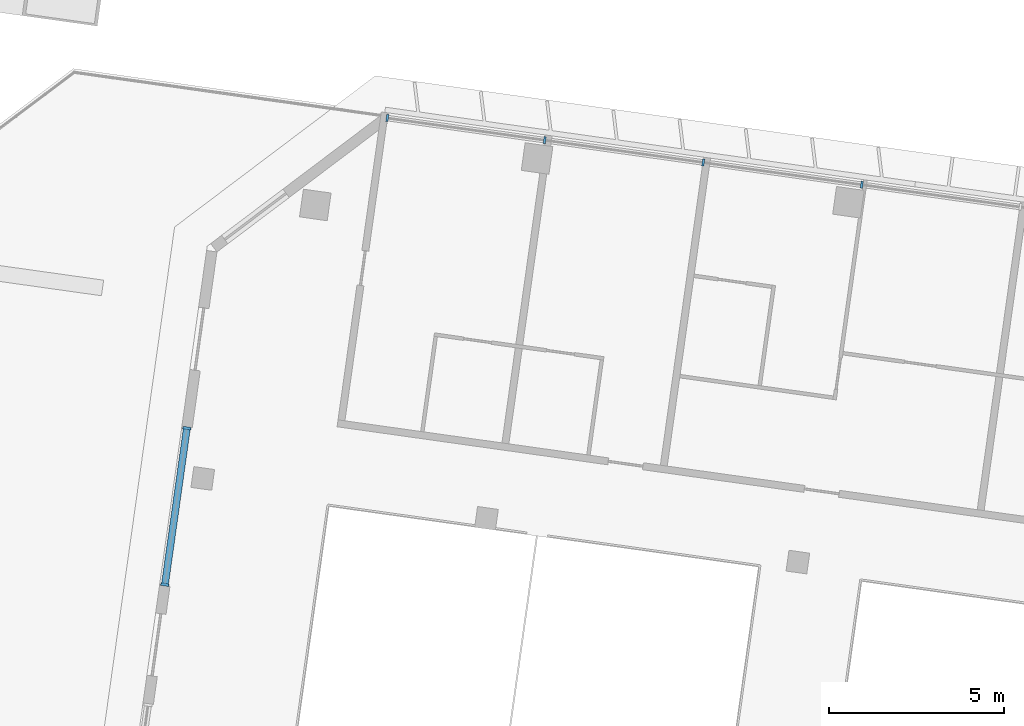
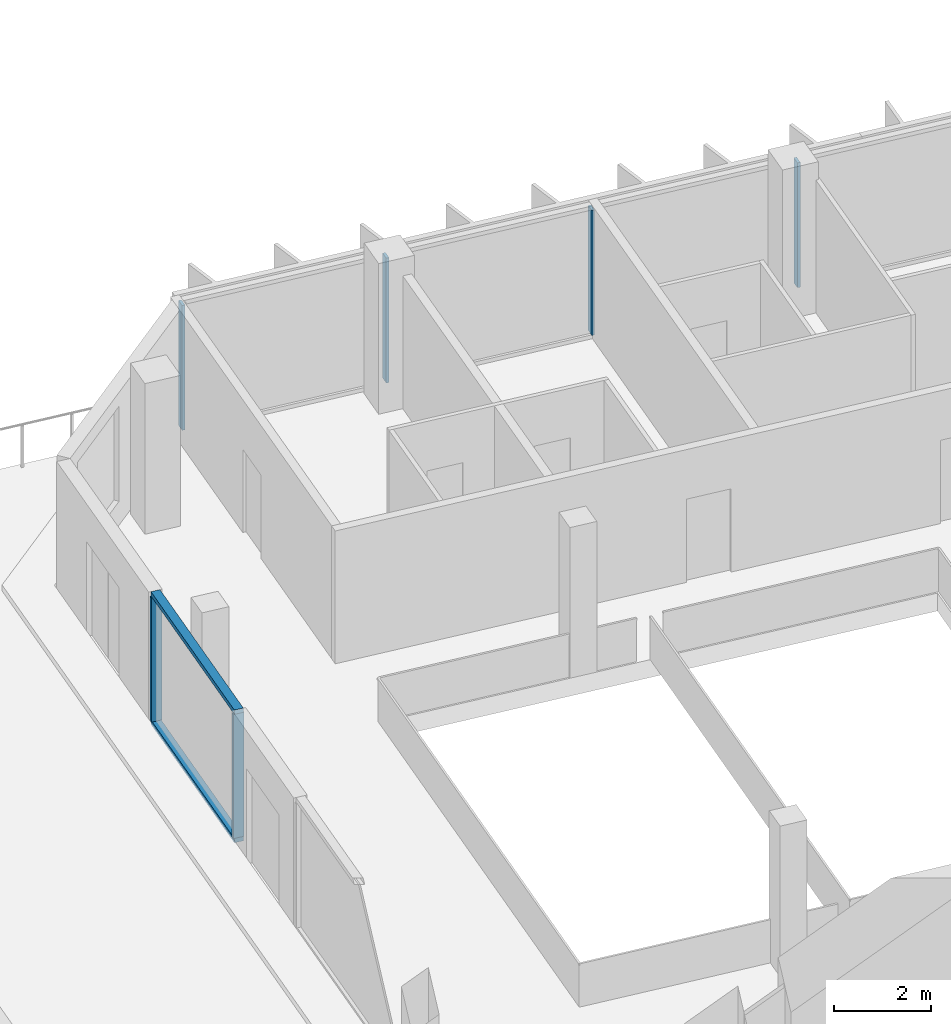
# One storey, part 4 of 23: 8 members, 2 elements without a shape of their own.
"""IFC4 building model written with IfcOpenShell, lengths in metres."""

from ifc_helpers import new_model, si_unit, direction, frame, origin, origin_2d, place, context, subcontext, project, spatial, rectangle, extrude, material, material_profile, profile_set, type_object, element, aggregate, save


model = new_model("IFC4")

# Units and contexts
model_context = context("Model", 3, precision=1e-05, world=origin(), true_north=direction((0.0, 1.0)))
body_context = subcontext(model_context, "Body", "Model", "MODEL_VIEW")
ifc_project = project(units=[si_unit("LENGTHUNIT", "METRE"), si_unit("AREAUNIT", "SQUARE_METRE"), si_unit("VOLUMEUNIT", "CUBIC_METRE"), si_unit("PLANEANGLEUNIT", "RADIAN"), si_unit("MASSUNIT", "GRAM", prefix="KILO")], contexts=[model_context])

# Site, building, storey
site_placement = place(None, origin())
site = spatial("IfcSite", under=ifc_project, at=site_placement, CompositionType="ELEMENT")
building_placement = place(site_placement, origin())
building = spatial("IfcBuilding", under=site, at=building_placement, Name="Mirante Cascada Hotel Towers", CompositionType="ELEMENT")
storey_placement = place(building_placement, frame((0.0, 0.0, 180.2)))
storey = spatial("IfcBuildingStorey", under=building, at=storey_placement, Name="L42", CompositionType="ELEMENT", Elevation=180.2)

# Curtain wall, members
ifc_material_1 = material(Name="Aluminium mullion and transom frame with clear laminated glass", Category="aluminium")
curtain_wall_type_1 = type_object("IfcCurtainWallType", Name="Ribbon curtain wall ECW1", PredefinedType="NOTDEFINED", material=ifc_material_1)
curtain_wall_1_placement = place(storey_placement, origin())
curtain_wall_1 = element("IfcCurtainWall", 1, at=curtain_wall_1_placement, inside=storey, type_object=curtain_wall_type_1, Name="Front ribbon wall T1 L42", PredefinedType="NOTDEFINED")
ifc_material_2 = material(Name="Anodised aluminium extrusion", Category="aluminium")
ifc_material_profile_1 = material_profile(ifc_material_2, rectangle(XDim=0.2, YDim=0.065, at=origin_2d()), Name="ECW1 MULLION 65x200")
ifc_profile_set_1 = profile_set([ifc_material_profile_1], Name="Anodised aluminium extrusion")
member_type_1 = type_object("IfcMemberType", Name="ECW1 mullion 65x200", PredefinedType="MULLION", material=ifc_profile_set_1)
member_1_placement = place(storey_placement, frame((-76.3011, 23.5425, 0.1), z_axis=(0.0, 0.0, 1.0), x_axis=(0.1391731, 0.9902681, 0.0)))
member_1 = element("IfcMember", 2, at=member_1_placement, type_object=member_type_1, Name="ECW1 mullion 1", PredefinedType="MULLION", context=body_context, shape_type="SweptSolid", body=[
    extrude(rectangle(XDim=0.2, YDim=0.065, at=origin_2d()), origin(), (0.0, 0.0, 1.0), 3.15),
])
member_2_placement = place(storey_placement, frame((-71.7955, 22.9092, 0.1), z_axis=(0.0, 0.0, 1.0), x_axis=(0.1391731, 0.9902681, 0.0)))
member_2 = element("IfcMember", 3, at=member_2_placement, type_object=member_type_1, Name="ECW1 mullion 2", PredefinedType="MULLION", context=body_context, shape_type="SweptSolid", body=[
    extrude(rectangle(XDim=0.2, YDim=0.065, at=origin_2d()), origin(), (0.0, 0.0, 1.0), 3.15),
])
member_3_placement = place(storey_placement, frame((-67.2578, 22.2715, 0.1), z_axis=(0.0, 0.0, 1.0), x_axis=(0.1391731, 0.9902681, 0.0)))
member_3 = element("IfcMember", 4, at=member_3_placement, type_object=member_type_1, Name="ECW1 mullion 3", PredefinedType="MULLION", context=body_context, shape_type="SweptSolid", body=[
    extrude(rectangle(XDim=0.2, YDim=0.065, at=origin_2d()), origin(), (0.0, 0.0, 1.0), 3.15),
])
member_4_placement = place(storey_placement, frame((-62.72, 21.6337, 0.1), z_axis=(0.0, 0.0, 1.0), x_axis=(0.1391731, 0.9902681, 0.0)))
member_4 = element("IfcMember", 5, at=member_4_placement, type_object=member_type_1, Name="ECW1 mullion 4", PredefinedType="MULLION", context=body_context, shape_type="SweptSolid", body=[
    extrude(rectangle(XDim=0.2, YDim=0.065, at=origin_2d()), origin(), (0.0, 0.0, 1.0), 3.15),
])
aggregate(curtain_wall_1, [member_1, member_2, member_3, member_4])

ifc_material_3 = material(Name="Aluminium mullion and transom frame with clear laminated glass", Category="aluminium")
curtain_wall_type_2 = type_object("IfcCurtainWallType", Name="Sky garden curtain wall ECW4", PredefinedType="NOTDEFINED", material=ifc_material_3)
curtain_wall_2_placement = place(storey_placement, origin())
curtain_wall_2 = element("IfcCurtainWall", 6, at=curtain_wall_2_placement, inside=storey, type_object=curtain_wall_type_2, Name="Sky garden wall T1 L42 run 3", PredefinedType="NOTDEFINED")
ifc_material_4 = material(Name="Anodised aluminium extrusion", Category="aluminium")
ifc_material_profile_2 = material_profile(ifc_material_4, rectangle(XDim=0.24, YDim=0.075, at=origin_2d()), Name="ECW4 MULLION 75x240")
ifc_profile_set_2 = profile_set([ifc_material_profile_2], Name="Anodised aluminium extrusion")
member_type_2 = type_object("IfcMemberType", Name="ECW4 mullion 75x240", PredefinedType="MULLION", material=ifc_profile_set_2)
member_5_placement = place(storey_placement, frame((-82.6666, 10.1859, 0.11), z_axis=(0.0, 0.0, 1.0), x_axis=(-0.9902681, 0.1391731, 0.0)))
member_5 = element("IfcMember", 7, at=member_5_placement, type_object=member_type_2, Name="ECW4 mullion 1", PredefinedType="MULLION", context=body_context, shape_type="SweptSolid", body=[
    extrude(rectangle(XDim=0.24, YDim=0.075, at=origin_2d()), origin(), (0.0, 0.0, 1.0), 3.13),
])
member_6_placement = place(storey_placement, frame((-82.0368, 14.6668, 0.11), z_axis=(0.0, 0.0, 1.0), x_axis=(-0.9902681, 0.1391731, 0.0)))
member_6 = element("IfcMember", 8, at=member_6_placement, type_object=member_type_2, Name="ECW4 mullion 2", PredefinedType="MULLION", context=body_context, shape_type="SweptSolid", body=[
    extrude(rectangle(XDim=0.24, YDim=0.075, at=origin_2d()), origin(), (0.0, 0.0, 1.0), 3.13),
])
ifc_material_5 = material(Name="Anodised aluminium extrusion", Category="aluminium")
ifc_material_profile_3 = material_profile(ifc_material_5, rectangle(XDim=0.2, YDim=0.11, at=origin_2d()), Name="ECW4 TRANSOM 110x200")
ifc_profile_set_3 = profile_set([ifc_material_profile_3], Name="Anodised aluminium extrusion")
member_type_3 = type_object("IfcMemberType", Name="ECW4 transom 110x200", PredefinedType="USERDEFINED", material=ifc_profile_set_3)
member_7_placement = place(storey_placement, frame((-82.6718, 10.1487, 0.055), z_axis=(0.1391719, 0.9902682, 0.0), x_axis=(-0.9902682, 0.1391719, 0.0)))
member_7 = element("IfcMember", 9, at=member_7_placement, type_object=member_type_3, Name="ECW4 sill transom", ObjectType="TRANSOM", PredefinedType="USERDEFINED", context=body_context, shape_type="SweptSolid", body=[
    extrude(rectangle(XDim=0.2, YDim=0.11, at=origin_2d()), origin(), (0.0, 0.0, 1.0), 4.6001),
])
member_8_placement = place(storey_placement, frame((-82.6718, 10.1487, 3.295), z_axis=(0.1391719, 0.9902682, 0.0), x_axis=(-0.9902682, 0.1391719, 0.0)))
member_8 = element("IfcMember", 10, at=member_8_placement, type_object=member_type_3, Name="ECW4 head transom", ObjectType="TRANSOM", PredefinedType="USERDEFINED", context=body_context, shape_type="SweptSolid", body=[
    extrude(rectangle(XDim=0.2, YDim=0.11, at=origin_2d()), origin(), (0.0, 0.0, 1.0), 4.6001),
])
aggregate(curtain_wall_2, [member_7, member_8, member_5, member_6])

save(model, "model.ifc")
